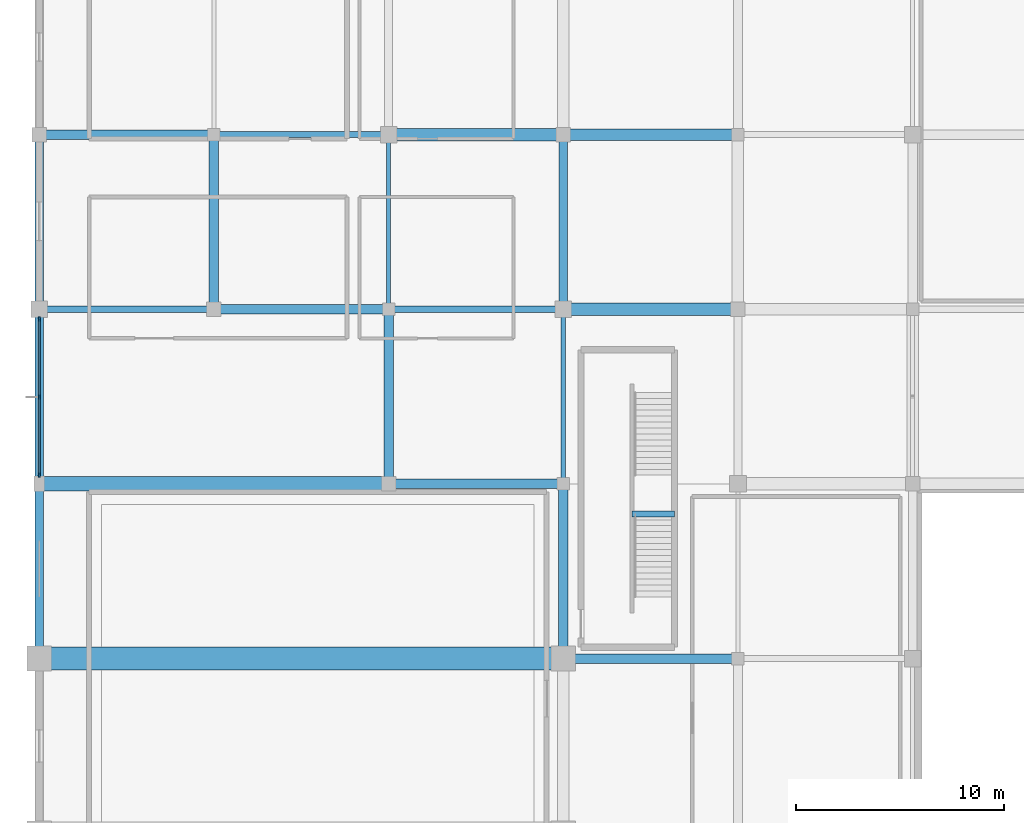
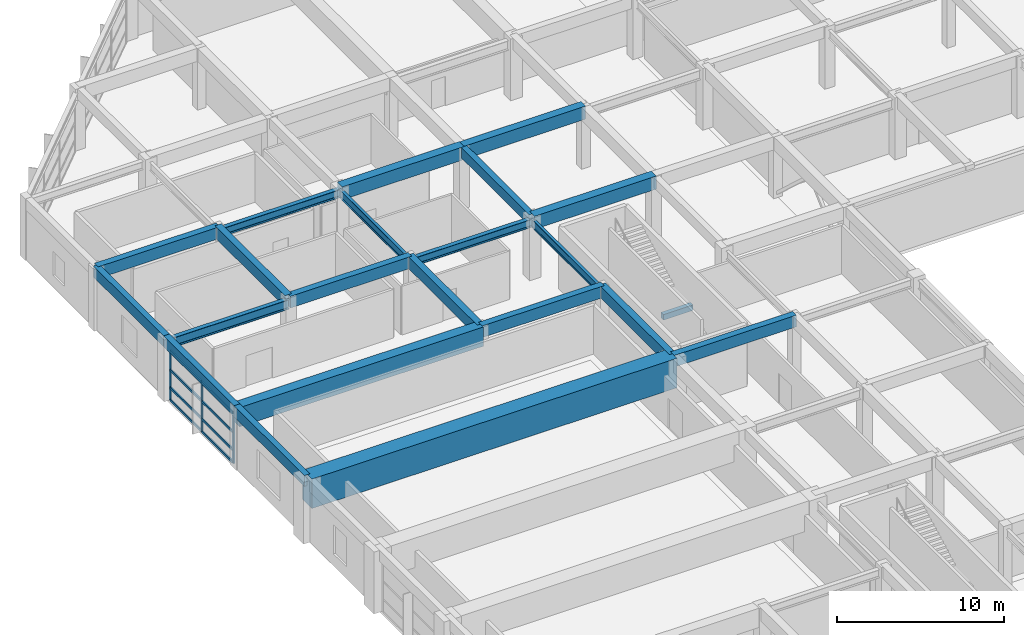
# One storey, part 22 of 65: 22 beams, 11 members, 1 element without a shape of its own.
"""IFC4 building model written with IfcOpenShell, lengths in metres."""

from ifc_helpers import new_model, si_unit, direction, frame, origin, origin_2d, place, context, subcontext, project, spatial, rectangle, i_section, extrude, material, material_profile, profile_set, type_object, element, aggregate, save


model = new_model("IFC4")

# Units and contexts
model_context = context("Model", 3, precision=1e-05, world=origin(), true_north=direction((0.0, 1.0)))
body_context = subcontext(model_context, "Body", "Model", "MODEL_VIEW")
ifc_project = project(units=[si_unit("LENGTHUNIT", "METRE"), si_unit("AREAUNIT", "SQUARE_METRE"), si_unit("VOLUMEUNIT", "CUBIC_METRE"), si_unit("PLANEANGLEUNIT", "RADIAN"), si_unit("MASSUNIT", "GRAM", prefix="KILO")], contexts=[model_context])

# Site, building, storey
site_placement = place(None, origin())
site = spatial("IfcSite", under=ifc_project, at=site_placement, CompositionType="ELEMENT")
building_placement = place(site_placement, origin())
building = spatial("IfcBuilding", under=site, at=building_placement, Name="Xuanlan Plaza Opera House", CompositionType="ELEMENT")
storey_placement = place(building_placement, frame((0.0, 0.0, 5.39990234375)))
storey = spatial("IfcBuildingStorey", under=building, at=storey_placement, Name="L01", CompositionType="ELEMENT", Elevation=5.39990234375)

# Curtain wall, members
ifc_material_1 = material(Name="Anodised Aluminium 6063-T6 and Low-E Glass", Category="aluminium")
curtain_wall_type = type_object("IfcCurtainWallType", Name="ENV-CW-CW-02", PredefinedType="USERDEFINED", material=ifc_material_1)
curtain_wall_placement = place(storey_placement, origin())
curtain_wall = element("IfcCurtainWall", 1, at=curtain_wall_placement, inside=storey, type_object=curtain_wall_type, Name="Unitised Curtain Wall L01-051", ObjectType="UNITISED CURTAIN WALL", PredefinedType="USERDEFINED")
ifc_material_2 = material(Name="Anodised Aluminium 6063-T6", Category="aluminium")
ifc_material_profile_1 = material_profile(ifc_material_2, rectangle(XDim=0.080078125, YDim=0.219970703125, at=origin_2d()), Name="ALU-M 80x220")
ifc_profile_set_1 = profile_set([ifc_material_profile_1], Name="Anodised Aluminium 6063-T6")
member_type_1 = type_object("IfcMemberType", Name="ENV-CWM-04", PredefinedType="MULLION", material=ifc_profile_set_1)
member_1_placement = place(storey_placement, frame((0.0, 83.5400390625, 0.0), z_axis=(0.0, 0.0, 1.0), x_axis=(1.0, 0.0, 0.0)))
member_1 = element("IfcMember", 2, at=member_1_placement, type_object=member_type_1, Name="CW-02 mullion 1", PredefinedType="MULLION", context=body_context, shape_type="SweptSolid", body=[
    extrude(rectangle(XDim=0.080078125, YDim=0.219970703125, at=origin_2d()), origin(), (0.0, 0.0, 1.0), 3.68017578125),
])
member_2_placement = place(storey_placement, frame((0.0, 79.78759765625, 0.0), z_axis=(0.0, 0.0, 1.0), x_axis=(1.0, 0.0, 0.0)))
member_2 = element("IfcMember", 3, at=member_2_placement, type_object=member_type_1, Name="CW-02 mullion 2", PredefinedType="MULLION", context=body_context, shape_type="SweptSolid", body=[
    extrude(rectangle(XDim=0.080078125, YDim=0.219970703125, at=origin_2d()), origin(), (0.0, 0.0, 1.0), 3.68017578125),
])
member_3_placement = place(storey_placement, frame((0.0, 76.034912109375, 0.0), z_axis=(0.0, 0.0, 1.0), x_axis=(1.0, 0.0, 0.0)))
member_3 = element("IfcMember", 4, at=member_3_placement, type_object=member_type_1, Name="CW-02 mullion 3", PredefinedType="MULLION", context=body_context, shape_type="SweptSolid", body=[
    extrude(rectangle(XDim=0.080078125, YDim=0.219970703125, at=origin_2d()), origin(), (0.0, 0.0, 1.0), 3.68017578125),
])
ifc_material_profile_2 = material_profile(ifc_material_2, rectangle(XDim=0.090087890625, YDim=0.179931640625, at=origin_2d()), Name="ALU-T 90x180")
ifc_profile_set_2 = profile_set([ifc_material_profile_2], Name="Anodised Aluminium 6063-T6")
member_type_2 = type_object("IfcMemberType", Name="ENV-CWT-05", PredefinedType="USERDEFINED", material=ifc_profile_set_2)
member_4_placement = place(storey_placement, frame((0.0, 83.5, 0.045166015625), z_axis=(0.0, -1.0, 0.0), x_axis=(1.0, 0.0, 0.0)))
member_4 = element("IfcMember", 5, at=member_4_placement, type_object=member_type_2, Name="CW-02 transom 1.1", ObjectType="TRANSOM", PredefinedType="USERDEFINED", context=body_context, shape_type="SweptSolid", body=[
    extrude(rectangle(XDim=0.090087890625, YDim=0.179931640625, at=origin_2d()), origin(), (0.0, 0.0, 1.0), 3.672607421875),
])
member_5_placement = place(storey_placement, frame((0.0, 83.5, 0.9501953125), z_axis=(0.0, -1.0, 0.0), x_axis=(1.0, 0.0, 0.0)))
member_5 = element("IfcMember", 6, at=member_5_placement, type_object=member_type_2, Name="CW-02 transom 1.2", ObjectType="TRANSOM", PredefinedType="USERDEFINED", context=body_context, shape_type="SweptSolid", body=[
    extrude(rectangle(XDim=0.090087890625, YDim=0.179931640625, at=origin_2d()), origin(), (0.0, 0.0, 1.0), 3.672607421875),
])
member_6_placement = place(storey_placement, frame((0.0, 83.5, 2.25), z_axis=(0.0, -1.0, 0.0), x_axis=(1.0, 0.0, 0.0)))
member_6 = element("IfcMember", 7, at=member_6_placement, type_object=member_type_2, Name="CW-02 transom 1.3", ObjectType="TRANSOM", PredefinedType="USERDEFINED", context=body_context, shape_type="SweptSolid", body=[
    extrude(rectangle(XDim=0.090087890625, YDim=0.179931640625, at=origin_2d()), origin(), (0.0, 0.0, 1.0), 3.672607421875),
])
member_7_placement = place(storey_placement, frame((0.0, 83.5, 3.635009765625), z_axis=(0.0, -1.0, 0.0), x_axis=(1.0, 0.0, 0.0)))
member_7 = element("IfcMember", 8, at=member_7_placement, type_object=member_type_2, Name="CW-02 transom 1.4", ObjectType="TRANSOM", PredefinedType="USERDEFINED", context=body_context, shape_type="SweptSolid", body=[
    extrude(rectangle(XDim=0.090087890625, YDim=0.179931640625, at=origin_2d()), origin(), (0.0, 0.0, 1.0), 3.672607421875),
])
member_8_placement = place(storey_placement, frame((0.0, 79.74755859375, 0.045166015625), z_axis=(0.0, -1.0, 0.0), x_axis=(1.0, 0.0, 0.0)))
member_8 = element("IfcMember", 9, at=member_8_placement, type_object=member_type_2, Name="CW-02 transom 2.1", ObjectType="TRANSOM", PredefinedType="USERDEFINED", context=body_context, shape_type="SweptSolid", body=[
    extrude(rectangle(XDim=0.090087890625, YDim=0.179931640625, at=origin_2d()), origin(), (0.0, 0.0, 1.0), 3.672607421875),
])
member_9_placement = place(storey_placement, frame((0.0, 79.74755859375, 0.9501953125), z_axis=(0.0, -1.0, 0.0), x_axis=(1.0, 0.0, 0.0)))
member_9 = element("IfcMember", 10, at=member_9_placement, type_object=member_type_2, Name="CW-02 transom 2.2", ObjectType="TRANSOM", PredefinedType="USERDEFINED", context=body_context, shape_type="SweptSolid", body=[
    extrude(rectangle(XDim=0.090087890625, YDim=0.179931640625, at=origin_2d()), origin(), (0.0, 0.0, 1.0), 3.672607421875),
])
member_10_placement = place(storey_placement, frame((0.0, 79.74755859375, 2.25), z_axis=(0.0, -1.0, 0.0), x_axis=(1.0, 0.0, 0.0)))
member_10 = element("IfcMember", 11, at=member_10_placement, type_object=member_type_2, Name="CW-02 transom 2.3", ObjectType="TRANSOM", PredefinedType="USERDEFINED", context=body_context, shape_type="SweptSolid", body=[
    extrude(rectangle(XDim=0.090087890625, YDim=0.179931640625, at=origin_2d()), origin(), (0.0, 0.0, 1.0), 3.672607421875),
])
member_11_placement = place(storey_placement, frame((0.0, 79.74755859375, 3.635009765625), z_axis=(0.0, -1.0, 0.0), x_axis=(1.0, 0.0, 0.0)))
member_11 = element("IfcMember", 12, at=member_11_placement, type_object=member_type_2, Name="CW-02 transom 2.4", ObjectType="TRANSOM", PredefinedType="USERDEFINED", context=body_context, shape_type="SweptSolid", body=[
    extrude(rectangle(XDim=0.090087890625, YDim=0.179931640625, at=origin_2d()), origin(), (0.0, 0.0, 1.0), 3.672607421875),
])
aggregate(curtain_wall, [member_1, member_2, member_3, member_4, member_5, member_6, member_7, member_8, member_9, member_10, member_11])

# Beams
ifc_material_3 = material(Name="Concrete C50", Category="concrete")
ifc_material_profile_3 = material_profile(ifc_material_3, rectangle(XDim=0.60009765625, YDim=0.949951171875, at=origin_2d()), Name="RC-BM 600x950")
ifc_profile_set_3 = profile_set([ifc_material_profile_3], Name="Concrete C50")
beam_type_1 = type_object("IfcBeamType", Name="STR-BM-B-01", PredefinedType="BEAM", material=ifc_profile_set_3)
beam_1_placement = place(storey_placement, frame((25.199951171875, 84.0, 4.025146484375), z_axis=(1.0, 0.0, 0.0), x_axis=(0.0, 1.0, 0.0)))
element("IfcBeam", 13, at=beam_1_placement, inside=storey, type_object=beam_type_1, Name="Grid Beam X L01 4-5/K", PredefinedType="BEAM", context=body_context, shape_type="SweptSolid", body=[
    extrude(rectangle(XDim=0.60009765625, YDim=0.949951171875, at=origin_2d()), origin(), (0.0, 0.0, 1.0), 8.400146484375),
])
beam_2_placement = place(storey_placement, frame((16.800048828125, 92.39990234375, 4.025146484375), z_axis=(1.0, 0.0, 0.0), x_axis=(0.0, 1.0, 0.0)))
element("IfcBeam", 14, at=beam_2_placement, inside=storey, type_object=beam_type_1, Name="Grid Beam X L01 3-4/L", PredefinedType="BEAM", context=body_context, shape_type="SweptSolid", body=[
    extrude(rectangle(XDim=0.60009765625, YDim=0.949951171875, at=origin_2d()), origin(), (0.0, 0.0, 1.0), 8.39990234375),
])
ifc_material_profile_4 = material_profile(ifc_material_3, rectangle(XDim=0.550048828125, YDim=0.949951171875, at=origin_2d()), Name="RC-BM 550x950")
ifc_profile_set_4 = profile_set([ifc_material_profile_4], Name="Concrete C50")
beam_type_2 = type_object("IfcBeamType", Name="STR-BM-B-02", PredefinedType="BEAM", material=ifc_profile_set_4)
beam_3_placement = place(storey_placement, frame((25.199951171875, 92.39990234375, 4.025146484375), z_axis=(1.0, 0.0, 0.0), x_axis=(0.0, 1.0, 0.0)))
element("IfcBeam", 15, at=beam_3_placement, inside=storey, type_object=beam_type_2, Name="Grid Beam X L01 4-5/L", PredefinedType="BEAM", context=body_context, shape_type="SweptSolid", body=[
    extrude(rectangle(XDim=0.550048828125, YDim=0.949951171875, at=origin_2d()), origin(), (0.0, 0.0, 1.0), 8.400146484375),
])
ifc_material_4 = material(Name="Concrete C40", Category="concrete")
ifc_material_profile_5 = material_profile(ifc_material_4, rectangle(XDim=0.449951171875, YDim=0.85009765625, at=origin_2d()), Name="RC-BM 450x850")
ifc_profile_set_5 = profile_set([ifc_material_profile_5], Name="Concrete C40")
beam_type_3 = type_object("IfcBeamType", Name="STR-BM-B-04", PredefinedType="BEAM", material=ifc_profile_set_5)
beam_4_placement = place(storey_placement, frame((25.199951171875, 67.199951171875, 4.0751953125), z_axis=(1.0, 0.0, 0.0), x_axis=(0.0, 1.0, 0.0)))
element("IfcBeam", 16, at=beam_4_placement, inside=storey, type_object=beam_type_3, Name="Grid Beam X L01 4-5/I", PredefinedType="BEAM", context=body_context, shape_type="SweptSolid", body=[
    extrude(rectangle(XDim=0.449951171875, YDim=0.85009765625, at=origin_2d()), origin(), (0.0, 0.0, 1.0), 8.400146484375),
])
beam_5_placement = place(storey_placement, frame((16.800048828125, 75.60009765625, 4.0751953125), z_axis=(1.0, 0.0, 0.0), x_axis=(0.0, 1.0, 0.0)))
element("IfcBeam", 17, at=beam_5_placement, inside=storey, type_object=beam_type_3, Name="Grid Beam X L01 3-4/J", PredefinedType="BEAM", context=body_context, shape_type="SweptSolid", body=[
    extrude(rectangle(XDim=0.449951171875, YDim=0.85009765625, at=origin_2d()), origin(), (0.0, 0.0, 1.0), 8.39990234375),
])
beam_6_placement = place(storey_placement, frame((8.39990234375, 84.0, 4.0751953125), z_axis=(1.0, 0.0, 0.0), x_axis=(0.0, 1.0, 0.0)))
element("IfcBeam", 18, at=beam_6_placement, inside=storey, type_object=beam_type_3, Name="Grid Beam X L01 2-3/K", PredefinedType="BEAM", context=body_context, shape_type="SweptSolid", body=[
    extrude(rectangle(XDim=0.449951171875, YDim=0.85009765625, at=origin_2d()), origin(), (0.0, 0.0, 1.0), 8.400146484375),
])
for number, where, z_axis, x_axis, name in (
    (19, (0.0, 92.39990234375, 4.0751953125), (1.0, 0.0, 0.0), (0.0, 1.0, 0.0), "Grid Beam X L01 1-2/L"),
    (20, (8.39990234375, 84.0, 4.0751953125), (0.0, 1.0, 0.0), (-1.0, 0.0, 0.0), "Grid Beam Y L01 2/K-L"),
    (21, (16.800048828125, 75.60009765625, 4.0751953125), (0.0, 1.0, 0.0), (-1.0, 0.0, 0.0), "Grid Beam Y L01 3/J-K"),
):
    element("IfcBeam", number, at=place(storey_placement, frame(where, z_axis=z_axis, x_axis=x_axis)), inside=storey, type_object=beam_type_3, Name=name, PredefinedType="BEAM", context=body_context, shape_type="SweptSolid", body=[
        extrude(rectangle(XDim=0.449951171875, YDim=0.85009765625, at=origin_2d()), origin(), (0.0, 0.0, 1.0), 8.39990234375),
    ])
beam_7_placement = place(storey_placement, frame((25.199951171875, 67.199951171875, 4.0751953125), z_axis=(0.0, 1.0, 0.0), x_axis=(-1.0, 0.0, 0.0)))
element("IfcBeam", 22, at=beam_7_placement, inside=storey, type_object=beam_type_3, Name="Grid Beam Y L01 4/I-J", PredefinedType="BEAM", context=body_context, shape_type="SweptSolid", body=[
    extrude(rectangle(XDim=0.449951171875, YDim=0.85009765625, at=origin_2d()), origin(), (0.0, 0.0, 1.0), 8.400146484375),
])
ifc_material_profile_6 = material_profile(ifc_material_4, rectangle(XDim=0.39990234375, YDim=0.75, at=origin_2d()), Name="RC-BM 400x750")
ifc_profile_set_6 = profile_set([ifc_material_profile_6], Name="Concrete C40")
beam_type_4 = type_object("IfcBeamType", Name="STR-BM-B-06", PredefinedType="BEAM", material=ifc_profile_set_6)
beam_8_placement = place(storey_placement, frame((25.199951171875, 84.0, 4.125), z_axis=(0.0, 1.0, 0.0), x_axis=(-1.0, 0.0, 0.0)))
element("IfcBeam", 23, at=beam_8_placement, inside=storey, type_object=beam_type_4, Name="Grid Beam Y L01 4/K-L", PredefinedType="BEAM", context=body_context, shape_type="SweptSolid", body=[
    extrude(rectangle(XDim=0.39990234375, YDim=0.75, at=origin_2d()), origin(), (0.0, 0.0, 1.0), 8.39990234375),
])
ifc_material_profile_7 = material_profile(ifc_material_3, rectangle(XDim=0.699951171875, YDim=1.39990234375, at=origin_2d()), Name="RC-LG 700x1400")
ifc_profile_set_7 = profile_set([ifc_material_profile_7], Name="Concrete C50")
beam_type_5 = type_object("IfcBeamType", Name="STR-BM-LG-01", PredefinedType="BEAM", material=ifc_profile_set_7)
beam_9_placement = place(storey_placement, frame((0.0, 75.60009765625, 3.800048828125), z_axis=(1.0, 0.0, 0.0), x_axis=(0.0, 1.0, 0.0)))
element("IfcBeam", 24, at=beam_9_placement, inside=storey, type_object=beam_type_5, Name="Grid Beam X L01 1-3/J", PredefinedType="BEAM", context=body_context, shape_type="SweptSolid", body=[
    extrude(rectangle(XDim=0.699951171875, YDim=1.39990234375, at=origin_2d()), origin(), (0.0, 0.0, 1.0), 16.800048828125),
])
ifc_material_5 = material(Name="Concrete C60", Category="concrete")
ifc_material_profile_8 = material_profile(ifc_material_5, rectangle(XDim=1.10009765625, YDim=2.14990234375, at=origin_2d()), Name="RC-TG 1100x2150")
ifc_profile_set_8 = profile_set([ifc_material_profile_8], Name="Concrete C60")
beam_type_6 = type_object("IfcBeamType", Name="STR-BM-LG-03", PredefinedType="BEAM", material=ifc_profile_set_8)
beam_10_placement = place(storey_placement, frame((0.0, 67.199951171875, 3.425048828125), z_axis=(1.0, 0.0, 0.0), x_axis=(0.0, 1.0, 0.0)))
element("IfcBeam", 25, at=beam_10_placement, inside=storey, type_object=beam_type_6, Name="Grid Beam X L01 1-4/I", PredefinedType="BEAM", context=body_context, shape_type="SweptSolid", body=[
    extrude(rectangle(XDim=1.10009765625, YDim=2.14990234375, at=origin_2d()), origin(), (0.0, 0.0, 1.0), 25.199951171875),
])
ifc_material_profile_9 = material_profile(ifc_material_4, rectangle(XDim=0.300048828125, YDim=0.39990234375, at=origin_2d()), Name="RC-LNT 300x400")
ifc_profile_set_9 = profile_set([ifc_material_profile_9], Name="Concrete C40")
beam_type_7 = type_object("IfcBeamType", Name="STR-BM-LN-01", PredefinedType="LINTEL", material=ifc_profile_set_9)
beam_11_placement = place(storey_placement, frame((28.5, 74.159912109375, 1.85009765625), z_axis=(1.0, 0.0, 0.0), x_axis=(0.0, 1.0, 0.0)))
element("IfcBeam", 26, at=beam_11_placement, inside=storey, type_object=beam_type_7, Name="Stair Mid-Landing Trimmer Beam ST-P2 L01", PredefinedType="LINTEL", context=body_context, shape_type="SweptSolid", body=[
    extrude(rectangle(XDim=0.300048828125, YDim=0.39990234375, at=origin_2d()), origin(), (0.0, 0.0, 1.0), 2.050048828125),
])
ifc_material_6 = material(Name="Steel Q355B", Category="steel")
ifc_material_profile_10 = material_profile(ifc_material_6, i_section(OverallWidth=0.300048828125, OverallDepth=0.699951171875, WebThickness=0.012939453125, FlangeThickness=0.02392578125, FilletRadius=0.02392578125, at=origin_2d()), Name="HN 700x300x13x24")
ifc_profile_set_10 = profile_set([ifc_material_profile_10], Name="Steel Q355B")
beam_type_8 = type_object("IfcBeamType", Name="STR-BM-SB-03", PredefinedType="BEAM", material=ifc_profile_set_10)
beam_12_placement = place(storey_placement, frame((0.0, 84.0, 3.885009765625), z_axis=(1.0, 0.0, 0.0), x_axis=(0.0, 1.0, 0.0)))
element("IfcBeam", 27, at=beam_12_placement, inside=storey, type_object=beam_type_8, Name="Grid Beam X L01 1-2/K", PredefinedType="BEAM", context=body_context, shape_type="SweptSolid", body=[
    extrude(i_section(OverallWidth=0.300048828125, OverallDepth=0.699951171875, WebThickness=0.012939453125, FlangeThickness=0.02392578125, FilletRadius=0.02392578125, at=origin_2d()), origin(), (0.0, 0.0, 1.0), 8.39990234375),
])
ifc_material_profile_11 = material_profile(ifc_material_6, i_section(OverallWidth=0.199951171875, OverallDepth=0.60009765625, WebThickness=0.010986328125, FlangeThickness=0.01708984375, FilletRadius=0.02197265625, at=origin_2d()), Name="HN 600x200x11x17")
ifc_profile_set_11 = profile_set([ifc_material_profile_11], Name="Steel Q355B")
beam_type_9 = type_object("IfcBeamType", Name="STR-BM-SB-04", PredefinedType="BEAM", material=ifc_profile_set_11)
for number, where, z_axis, x_axis, name in (
    (28, (16.800048828125, 84.0, 3.93505859375), (0.0, 1.0, 0.0), (-1.0, 0.0, 0.0), "Grid Beam Y L01 3/K-L"),
    (29, (25.199951171875, 75.60009765625, 3.93505859375), (0.0, 1.0, 0.0), (-1.0, 0.0, 0.0), "Grid Beam Y L01 4/J-K"),
):
    element("IfcBeam", number, at=place(storey_placement, frame(where, z_axis=z_axis, x_axis=x_axis)), inside=storey, type_object=beam_type_9, Name=name, PredefinedType="BEAM", context=body_context, shape_type="SweptSolid", body=[
        extrude(i_section(OverallWidth=0.199951171875, OverallDepth=0.60009765625, WebThickness=0.010986328125, FlangeThickness=0.01708984375, FilletRadius=0.02197265625, at=origin_2d()), origin(), (0.0, 0.0, 1.0), 8.39990234375),
    ])
ifc_material_profile_12 = material_profile(ifc_material_6, i_section(OverallWidth=0.300048828125, OverallDepth=0.587890625, WebThickness=0.011962890625, FlangeThickness=0.02001953125, FilletRadius=0.02392578125, at=origin_2d()), Name="HM 588x300x12x20")
ifc_profile_set_12 = profile_set([ifc_material_profile_12], Name="Steel Q355B")
beam_type_10 = type_object("IfcBeamType", Name="STR-BM-SB-06", PredefinedType="BEAM", material=ifc_profile_set_12)
beam_13_placement = place(storey_placement, frame((16.800048828125, 84.0, 3.941162109375), z_axis=(1.0, 0.0, 0.0), x_axis=(0.0, 1.0, 0.0)))
element("IfcBeam", 30, at=beam_13_placement, inside=storey, type_object=beam_type_10, Name="Grid Beam X L01 3-4/K", PredefinedType="BEAM", context=body_context, shape_type="SweptSolid", body=[
    extrude(i_section(OverallWidth=0.300048828125, OverallDepth=0.587890625, WebThickness=0.011962890625, FlangeThickness=0.02001953125, FilletRadius=0.02392578125, at=origin_2d()), origin(), (0.0, 0.0, 1.0), 8.39990234375),
])
beam_14_placement = place(storey_placement, frame((8.39990234375, 92.39990234375, 3.941162109375), z_axis=(1.0, 0.0, 0.0), x_axis=(0.0, 1.0, 0.0)))
element("IfcBeam", 31, at=beam_14_placement, inside=storey, type_object=beam_type_10, Name="Grid Beam X L01 2-3/L", PredefinedType="BEAM", context=body_context, shape_type="SweptSolid", body=[
    extrude(i_section(OverallWidth=0.300048828125, OverallDepth=0.587890625, WebThickness=0.011962890625, FlangeThickness=0.02001953125, FilletRadius=0.02392578125, at=origin_2d()), origin(), (0.0, 0.0, 1.0), 8.400146484375),
])
ifc_material_profile_13 = material_profile(ifc_material_4, rectangle(XDim=0.39990234375, YDim=0.800048828125, at=origin_2d()), Name="RC-SPD 400x800")
ifc_profile_set_13 = profile_set([ifc_material_profile_13], Name="Concrete C40")
beam_type_11 = type_object("IfcBeamType", Name="STR-BM-SP-01", PredefinedType="SPANDREL", material=ifc_profile_set_13)
beam_15_placement = place(storey_placement, frame((0.0, 67.199951171875, 4.10009765625), z_axis=(0.0, 1.0, 0.0), x_axis=(-1.0, 0.0, 0.0)))
element("IfcBeam", 32, at=beam_15_placement, inside=storey, type_object=beam_type_11, Name="Grid Beam Y L01 1/I-J", PredefinedType="SPANDREL", context=body_context, shape_type="SweptSolid", body=[
    extrude(rectangle(XDim=0.39990234375, YDim=0.800048828125, at=origin_2d()), origin(), (0.0, 0.0, 1.0), 8.400146484375),
])
for number, where, z_axis, x_axis, name in (
    (33, (0.0, 75.60009765625, 4.10009765625), (0.0, 1.0, 0.0), (-1.0, 0.0, 0.0), "Grid Beam Y L01 1/J-K"),
    (34, (0.0, 84.0, 4.10009765625), (0.0, 1.0, 0.0), (-1.0, 0.0, 0.0), "Grid Beam Y L01 1/K-L"),
):
    element("IfcBeam", number, at=place(storey_placement, frame(where, z_axis=z_axis, x_axis=x_axis)), inside=storey, type_object=beam_type_11, Name=name, PredefinedType="SPANDREL", context=body_context, shape_type="SweptSolid", body=[
        extrude(rectangle(XDim=0.39990234375, YDim=0.800048828125, at=origin_2d()), origin(), (0.0, 0.0, 1.0), 8.39990234375),
    ])

save(model, "model.ifc")
